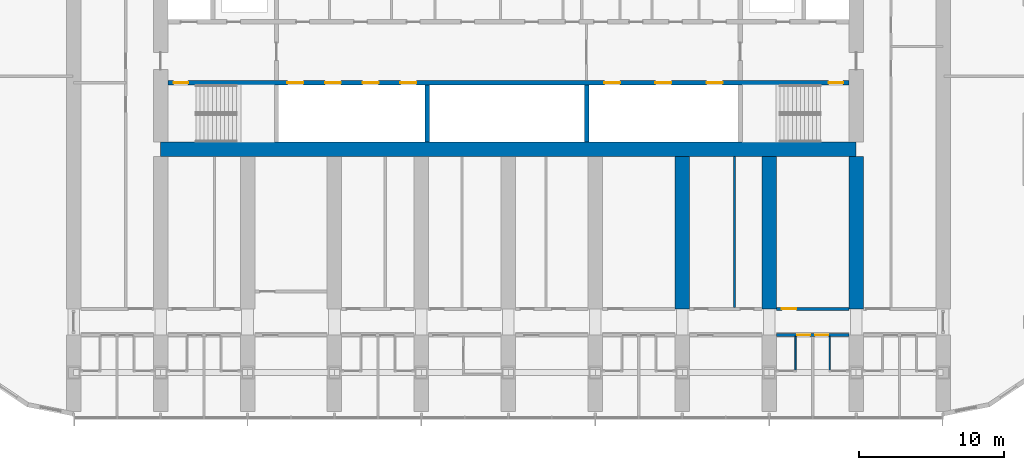
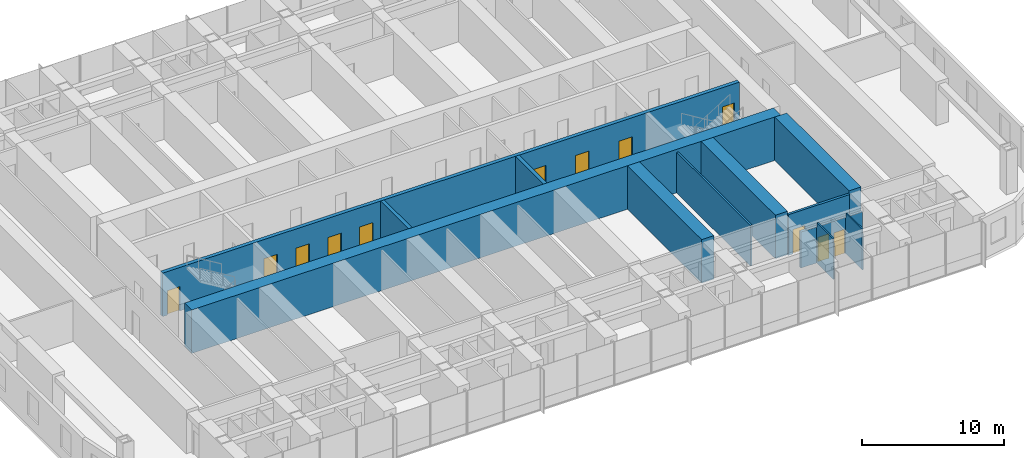
# One storey, part 13 of 24: 12 doors, 12 walls, 12 openings.
"""IFC4 building model written with IfcOpenShell, lengths in metres."""

import ifcopenshell
import ifcopenshell.guid

model = None  # the IFC model being written
_history = None  # IfcOwnerHistory: only IFC2X3 demands one
_inside = {}  # id of a spatial element -> (the spatial element, [elements in it])
_under = {}  # id of a project, library or spatial element -> (it, [spatial elements below it])
_declared = {}  # id of a project -> (the project, [libraries it declares])
_typed = {}  # id of a type object -> (the type object, [elements of that type])
_made_of = {}  # id of a material, layer set ... -> (it, [elements and type objects made of it])


def new_model(schema):
    """Start an empty IFC model of exactly this schema.

    Asked for "IFC4X3", IfcOpenShell would pick the latest addendum, in which some entities
    have other attributes; the version numbers below select the first issue.
    IFC2X3 requires an IfcOwnerHistory on every rooted entity: one is made here for all.
    """
    global model, _history
    if schema == "IFC4X3":
        model = ifcopenshell.file(schema_version=(4, 3, 0, 0))
    else:
        model = ifcopenshell.file(schema=schema)
    _inside.clear()
    _under.clear()
    _declared.clear()
    _typed.clear()
    _made_of.clear()
    _history = None
    if model.schema == "IFC2X3":
        org = make("IfcOrganization", Name="unknown")
        user = make(
            "IfcPersonAndOrganization",
            ThePerson=make("IfcPerson", FamilyName="unknown"),
            TheOrganization=org,
        )
        app = make(
            "IfcApplication",
            ApplicationDeveloper=org,
            Version="unknown",
            ApplicationFullName="unknown",
            ApplicationIdentifier="unknown",
        )
        _history = make(
            "IfcOwnerHistory",
            OwningUser=user,
            OwningApplication=app,
            ChangeAction="ADDED",
            CreationDate=0,
        )
    return model


def make(cls, **values):
    """One entity of the class cls with the attributes given. An attribute that is None is left unset."""
    return model.create_entity(
        cls, **{name: value for name, value in values.items() if value is not None}
    )


def rooted(cls, **values):
    """An entity with a GlobalId (a new one), such as an element, a storey or a relation."""
    return make(cls, GlobalId=ifcopenshell.guid.new(), OwnerHistory=_history, **values)


def si_unit(unit_type, name, prefix=None):
    """IfcSIUnit, for example si_unit("LENGTHUNIT", "METRE", prefix="MILLI")."""
    return make("IfcSIUnit", UnitType=unit_type, Prefix=prefix, Name=name)


def assignment(units):
    """IfcUnitAssignment: the units of a project."""
    return None if units is None else make("IfcUnitAssignment", Units=units)


def point(xyz):
    """IfcCartesianPoint."""
    return None if xyz is None else make("IfcCartesianPoint", Coordinates=xyz)


def direction(xyz):
    """IfcDirection."""
    return None if xyz is None else make("IfcDirection", DirectionRatios=xyz)


def frame(location, z_axis=None, x_axis=None):
    """IfcAxis2Placement3D, a coordinate frame: its origin and axes. An axis left out is left unset."""
    return make(
        "IfcAxis2Placement3D",
        Location=point(location),
        Axis=direction(z_axis),
        RefDirection=direction(x_axis),
    )


def frame_2d(location, x_axis=None):
    """IfcAxis2Placement2D, a coordinate frame in the plane: its origin and x axis."""
    return make(
        "IfcAxis2Placement2D", Location=point(location), RefDirection=direction(x_axis)
    )


def origin():
    """The frame at (0, 0, 0) with its axes left unset."""
    return frame((0.0, 0.0, 0.0))


def place(relative_to, where):
    """IfcLocalPlacement: puts the frame where relative to a parent placement (None: the world)."""
    return make(
        "IfcLocalPlacement", PlacementRelTo=relative_to, RelativePlacement=where
    )


def context(
    kind, dimensions, precision=None, world=None, true_north=None, identifier=None
):
    """IfcGeometricRepresentationContext, for example the 3D "Model" context."""
    return make(
        "IfcGeometricRepresentationContext",
        ContextIdentifier=identifier,
        ContextType=kind,
        CoordinateSpaceDimension=dimensions,
        Precision=precision,
        WorldCoordinateSystem=world,
        TrueNorth=true_north,
    )


def subcontext(parent, identifier, kind, view, scale=None):
    """IfcGeometricRepresentationSubContext, for example "Body" below "Model"."""
    return make(
        "IfcGeometricRepresentationSubContext",
        ContextIdentifier=identifier,
        ContextType=kind,
        ParentContext=parent,
        TargetScale=scale,
        TargetView=view,
    )


def project(units=None, contexts=None):
    """IfcProject with its units and contexts."""
    return rooted(
        "IfcProject",
        Name="project",
        RepresentationContexts=contexts,
        UnitsInContext=assignment(units),
    )


def spatial(cls, under=None, at=None, **own):
    """A site, building, storey or space (cls), placed at a placement, below another one or the project."""
    s = rooted(cls, ObjectPlacement=at, **own)
    if under is not None:
        _under.setdefault(under.id(), (under, []))[1].append(s)
    return s


def polyline(points):
    """IfcPolyline through the points."""
    return make("IfcPolyline", Points=[point(p) for p in points])


def profile(cls, at=None, kind="AREA", **sizes):
    """A parametric profile (cls). Its sizes go by their IFC names, for example OverallWidth=200.0."""
    return make(cls, ProfileType=kind, Position=at, **sizes)


def rectangle(**sizes):
    """IfcRectangleProfileDef."""
    return profile("IfcRectangleProfileDef", **sizes)


def outline(outer, holes=None, kind="AREA"):
    """IfcArbitraryClosedProfileDef: a profile drawn as a closed curve; with holes, ...WithVoids."""
    if holes is None:
        return make("IfcArbitraryClosedProfileDef", ProfileType=kind, OuterCurve=outer)
    return make(
        "IfcArbitraryProfileDefWithVoids",
        ProfileType=kind,
        OuterCurve=outer,
        InnerCurves=holes,
    )


def extrude(swept, where, along, depth):
    """IfcExtrudedAreaSolid: the profile swept, set in the frame where, extruded along a direction by depth."""
    return make(
        "IfcExtrudedAreaSolid",
        SweptArea=swept,
        Position=where,
        ExtrudedDirection=direction(along),
        Depth=depth,
    )


def shape(context_of_items, identifier, shape_type, items):
    """IfcShapeRepresentation: the items that make up one representation, for example the "Body"."""
    return make(
        "IfcShapeRepresentation",
        ContextOfItems=context_of_items,
        RepresentationIdentifier=identifier,
        RepresentationType=shape_type,
        Items=items,
    )


def material(Name=None, Category=None):
    """IfcMaterial."""
    return make("IfcMaterial", Name=Name, Category=Category)


def layer(
    of_material, thickness, ventilated=None, Name=None, Category=None, Priority=None
):
    """IfcMaterialLayer: one layer of a wall or slab, of a material (None: an air gap)."""
    return make(
        "IfcMaterialLayer",
        Material=of_material,
        LayerThickness=thickness,
        IsVentilated=ventilated,
        Name=Name,
        Category=Category,
        Priority=Priority,
    )


def layer_set(layers, Name=None):
    """IfcMaterialLayerSet."""
    return make("IfcMaterialLayerSet", MaterialLayers=layers, LayerSetName=Name)


def made_of(thing, what):
    """Note that an element or type object is made of a material, layer set ...; save() writes the relation."""
    if what is not None:
        _made_of.setdefault(what.id(), (what, []))[1].append(thing)
    return thing


def type_object(cls, material=None, **own):
    """A type object (cls), such as IfcWallType, which elements share."""
    return made_of(rooted(cls, **own), material)


def element(
    cls,
    number,
    at=None,
    inside=None,
    cuts=None,
    type_object=None,
    material=None,
    context=None,
    identifier="Body",
    shape_type=None,
    held_by="IfcProductDefinitionShape",
    body=None,
    shapes=None,
    **own,
):
    """One element of the class cls, such as IfcWall. Its Tag is "e" and its number.

    at: its placement. inside: the storey or other place that contains it. cuts: it is an
    opening in that element (IfcRelVoidsElement). A single representation is given by context,
    identifier, shape_type and body (its items); several are given by shapes. held_by: the class
    of the entity that holds the representations. save() writes the other relations.
    """
    e = rooted(cls, Tag="e%d" % number, ObjectPlacement=at, **own)
    if body is not None:
        shapes = [shape(context, identifier, shape_type, body)]
    if shapes is not None:
        e.Representation = make(held_by, Representations=shapes)
    if inside is not None:
        _inside.setdefault(inside.id(), (inside, []))[1].append(e)
    if cuts is not None:
        rooted(
            "IfcRelVoidsElement", RelatingBuildingElement=cuts, RelatedOpeningElement=e
        )
    if type_object is not None:
        _typed.setdefault(type_object.id(), (type_object, []))[1].append(e)
    return made_of(e, material)


def fill(opening, filler):
    """IfcRelFillsElement: the door or window that sits in an opening."""
    return rooted(
        "IfcRelFillsElement",
        RelatingOpeningElement=opening,
        RelatedBuildingElement=filler,
    )


def aggregate(whole, parts):
    """IfcRelAggregates: a whole, such as a stair, and the parts it consists of."""
    return rooted("IfcRelAggregates", RelatingObject=whole, RelatedObjects=parts)


def save(model, path):
    """Write the relations noted so far, then the file.

    IfcRelAggregates (storeys below a building ...), IfcRelContainedInSpatialStructure (elements
    in a storey), IfcRelDefinesByType, IfcRelAssociatesMaterial and IfcRelDeclares: one each for
    every whole, place, type object, material and project.
    """
    for whole, parts in _under.values():
        aggregate(whole, parts)
    for where, things in _inside.values():
        rooted(
            "IfcRelContainedInSpatialStructure",
            RelatedElements=things,
            RelatingStructure=where,
        )
    for kind, things in _typed.values():
        rooted("IfcRelDefinesByType", RelatedObjects=things, RelatingType=kind)
    for what, things in _made_of.values():
        rooted("IfcRelAssociatesMaterial", RelatedObjects=things, RelatingMaterial=what)
    for by, libraries in _declared.values():
        rooted("IfcRelDeclares", RelatingContext=by, RelatedDefinitions=libraries)
    model.write(path)


model = new_model("IFC4")

# Units and contexts
model_context = context("Model", 3, precision=1e-05, world=origin(), true_north=direction((0.0, 1.0)))
body_context = subcontext(model_context, "Body", "Model", "MODEL_VIEW")
ifc_project = project(units=[si_unit("LENGTHUNIT", "METRE"), si_unit("AREAUNIT", "SQUARE_METRE"), si_unit("VOLUMEUNIT", "CUBIC_METRE"), si_unit("PLANEANGLEUNIT", "RADIAN"), si_unit("MASSUNIT", "GRAM", prefix="KILO")], contexts=[model_context])

# Site, building, storey
site_placement = place(None, origin())
site = spatial("IfcSite", under=ifc_project, at=site_placement, CompositionType="ELEMENT")
building_placement = place(site_placement, origin())
building = spatial("IfcBuilding", under=site, at=building_placement, Name="Orbita Commons", CompositionType="ELEMENT")
storey_placement = place(building_placement, frame((0.0, 0.0, 27.699951171875)))
storey = spatial("IfcBuildingStorey", under=building, at=storey_placement, Name="L06", CompositionType="ELEMENT", Elevation=27.699951171875)

# Wall, openings, doors
ifc_material_1 = material(Name="Concrete C50/60", Category="concrete")
ifc_layer_1 = layer(ifc_material_1, 0.300048828125)
ifc_layer_set_1 = layer_set([ifc_layer_1], Name="Concrete C50/60")
wall_type_1 = type_object("IfcWallType", Name="Core inner wall 300 C50/60", PredefinedType="SHEAR", material=ifc_layer_set_1)
wall_1_placement = place(storey_placement, frame((18.5, 30.39990234375, 0.0), z_axis=(0.0, 0.0, 1.0), x_axis=(1.0, 0.0, 0.0)))
wall_1 = element("IfcWall", 1, at=wall_1_placement, inside=storey, type_object=wall_type_1, Name="Lobby wall south L06", PredefinedType="SHEAR", context=body_context, shape_type="SweptSolid", body=[
    extrude(rectangle(XDim=47.0, YDim=0.300048828125, at=frame_2d((23.5, 0.0))), origin(), (0.0, 0.0, 1.0), 3.75),
])
opening_1_placement = place(wall_1_placement, frame((0.39990234375, 0.0, 0.0)))
opening_1 = element("IfcOpeningElement", 2, at=opening_1_placement, cuts=wall_1, Name="Opening D02", PredefinedType="OPENING", context=body_context, shape_type="SweptSolid", body=[
    extrude(rectangle(XDim=1.0, YDim=2.10009765625, at=frame_2d((0.5, 1.050048828125))), frame((0.0, 0.159912109375, 0.0), z_axis=(0.0, -1.0, 0.0), x_axis=(1.0, 0.0, 0.0)), (0.0, 0.0, 1.0), 0.320068359375),
])
opening_2_placement = place(wall_1_placement, frame((45.60009765625, 0.0, 0.0)))
opening_2 = element("IfcOpeningElement", 3, at=opening_2_placement, cuts=wall_1, Name="Opening D02", PredefinedType="OPENING", context=body_context, shape_type="SweptSolid", body=[
    extrude(rectangle(XDim=1.0, YDim=2.10009765625, at=frame_2d((0.5, 1.050048828125))), frame((0.0, 0.159912109375, 0.0), z_axis=(0.0, -1.0, 0.0), x_axis=(1.0, 0.0, 0.0)), (0.0, 0.0, 1.0), 0.320068359375),
])
opening_3_placement = place(wall_1_placement, frame((8.25, 0.0, 0.0)))
opening_3 = element("IfcOpeningElement", 4, at=opening_3_placement, cuts=wall_1, Name="Opening LD02", PredefinedType="OPENING", context=body_context, shape_type="SweptSolid", body=[
    extrude(rectangle(XDim=1.10009765625, YDim=2.10009765625, at=frame_2d((0.550048828125, 1.050048828125))), frame((0.0, 0.159912109375, 0.0), z_axis=(0.0, -1.0, 0.0), x_axis=(1.0, 0.0, 0.0)), (0.0, 0.0, 1.0), 0.320068359375),
])
opening_4_placement = place(wall_1_placement, frame((10.85009765625, 0.0, 0.0)))
opening_4 = element("IfcOpeningElement", 5, at=opening_4_placement, cuts=wall_1, Name="Opening LD02", PredefinedType="OPENING", context=body_context, shape_type="SweptSolid", body=[
    extrude(rectangle(XDim=1.10009765625, YDim=2.10009765625, at=frame_2d((0.550048828125, 1.050048828125))), frame((0.0, 0.159912109375, 0.0), z_axis=(0.0, -1.0, 0.0), x_axis=(1.0, 0.0, 0.0)), (0.0, 0.0, 1.0), 0.320068359375),
])
opening_5_placement = place(wall_1_placement, frame((13.449951171875, 0.0, 0.0)))
opening_5 = element("IfcOpeningElement", 6, at=opening_5_placement, cuts=wall_1, Name="Opening LD02", PredefinedType="OPENING", context=body_context, shape_type="SweptSolid", body=[
    extrude(rectangle(XDim=1.10009765625, YDim=2.10009765625, at=frame_2d((0.550048828125, 1.050048828125))), frame((0.0, 0.159912109375, 0.0), z_axis=(0.0, -1.0, 0.0), x_axis=(1.0, 0.0, 0.0)), (0.0, 0.0, 1.0), 0.320068359375),
])
opening_6_placement = place(wall_1_placement, frame((16.050048828125, 0.0, 0.0)))
opening_6 = element("IfcOpeningElement", 7, at=opening_6_placement, cuts=wall_1, Name="Opening LD02", PredefinedType="OPENING", context=body_context, shape_type="SweptSolid", body=[
    extrude(rectangle(XDim=1.10009765625, YDim=2.10009765625, at=frame_2d((0.550048828125, 1.050048828125))), frame((0.0, 0.159912109375, 0.0), z_axis=(0.0, -1.0, 0.0), x_axis=(1.0, 0.0, 0.0)), (0.0, 0.0, 1.0), 0.320068359375),
])
opening_7_placement = place(wall_1_placement, frame((30.11669921875, 0.0, 0.0)))
opening_7 = element("IfcOpeningElement", 8, at=opening_7_placement, cuts=wall_1, Name="Opening LD02", PredefinedType="OPENING", context=body_context, shape_type="SweptSolid", body=[
    extrude(rectangle(XDim=1.10009765625, YDim=2.10009765625, at=frame_2d((0.550048828125, 1.050048828125))), frame((0.0, 0.159912109375, 0.0), z_axis=(0.0, -1.0, 0.0), x_axis=(1.0, 0.0, 0.0)), (0.0, 0.0, 1.0), 0.320068359375),
])
opening_8_placement = place(wall_1_placement, frame((33.64990234375, 0.0, 0.0)))
opening_8 = element("IfcOpeningElement", 9, at=opening_8_placement, cuts=wall_1, Name="Opening LD02", PredefinedType="OPENING", context=body_context, shape_type="SweptSolid", body=[
    extrude(rectangle(XDim=1.10009765625, YDim=2.10009765625, at=frame_2d((0.550048828125, 1.050048828125))), frame((0.0, 0.159912109375, 0.0), z_axis=(0.0, -1.0, 0.0), x_axis=(1.0, 0.0, 0.0)), (0.0, 0.0, 1.0), 0.320068359375),
])
opening_9_placement = place(wall_1_placement, frame((37.183349609375, 0.0, 0.0)))
opening_9 = element("IfcOpeningElement", 10, at=opening_9_placement, cuts=wall_1, Name="Opening LD02", PredefinedType="OPENING", context=body_context, shape_type="SweptSolid", body=[
    extrude(rectangle(XDim=1.10009765625, YDim=2.10009765625, at=frame_2d((0.550048828125, 1.050048828125))), frame((0.0, 0.159912109375, 0.0), z_axis=(0.0, -1.0, 0.0), x_axis=(1.0, 0.0, 0.0)), (0.0, 0.0, 1.0), 0.320068359375),
])
ifc_material_2 = material(Name="Steel-faced fire door leaf", Category="steel")
door_type_1 = type_object("IfcDoorType", Name="Fire door 90 min 1000x2100", OperationType="SINGLE_SWING_LEFT", PredefinedType="DOOR", material=ifc_material_2)
door_1_placement = place(opening_1_placement, origin())
door_1 = element("IfcDoor", 11, at=door_1_placement, inside=storey, type_object=door_type_1, Name="Stair S1 door", OperationType="SINGLE_SWING_LEFT", OverallHeight=2.10009765625, OverallWidth=1.0, PredefinedType="DOOR", context=body_context, shape_type="SweptSolid", body=[
    extrude(rectangle(XDim=1.0, YDim=2.10009765625, at=frame_2d((0.5, 1.050048828125))), frame((0.0, 0.02490234375, 0.0), z_axis=(0.0, -1.0, 0.0), x_axis=(1.0, 0.0, 0.0)), (0.0, 0.0, 1.0), 0.050048828125),
])
fill(opening_1, door_1)
door_2_placement = place(opening_2_placement, origin())
door_2 = element("IfcDoor", 12, at=door_2_placement, inside=storey, type_object=door_type_1, Name="Stair S2 door", OperationType="SINGLE_SWING_LEFT", OverallHeight=2.10009765625, OverallWidth=1.0, PredefinedType="DOOR", context=body_context, shape_type="SweptSolid", body=[
    extrude(rectangle(XDim=1.0, YDim=2.10009765625, at=frame_2d((0.5, 1.050048828125))), frame((0.0, 0.02490234375, 0.0), z_axis=(0.0, -1.0, 0.0), x_axis=(1.0, 0.0, 0.0)), (0.0, 0.0, 1.0), 0.050048828125),
])
fill(opening_2, door_2)
ifc_material_3 = material(Name="Steel-faced fire door leaf", Category="steel")
door_type_2 = type_object("IfcDoorType", Name="Lift landing door 1100x2100", OperationType="DOUBLE_DOOR_SLIDING", PredefinedType="DOOR", material=ifc_material_3)
door_3_placement = place(opening_3_placement, origin())
door_3 = element("IfcDoor", 13, at=door_3_placement, inside=storey, type_object=door_type_2, Name="Lift P11 landing door", OperationType="DOUBLE_DOOR_SLIDING", OverallHeight=2.10009765625, OverallWidth=1.10009765625, PredefinedType="DOOR", context=body_context, shape_type="SweptSolid", body=[
    extrude(rectangle(XDim=1.10009765625, YDim=2.10009765625, at=frame_2d((0.550048828125, 1.050048828125))), frame((0.0, 0.02490234375, 0.0), z_axis=(0.0, -1.0, 0.0), x_axis=(1.0, 0.0, 0.0)), (0.0, 0.0, 1.0), 0.050048828125),
])
fill(opening_3, door_3)
door_4_placement = place(opening_4_placement, origin())
door_4 = element("IfcDoor", 14, at=door_4_placement, inside=storey, type_object=door_type_2, Name="Lift P12 landing door", OperationType="DOUBLE_DOOR_SLIDING", OverallHeight=2.10009765625, OverallWidth=1.10009765625, PredefinedType="DOOR", context=body_context, shape_type="SweptSolid", body=[
    extrude(rectangle(XDim=1.10009765625, YDim=2.10009765625, at=frame_2d((0.550048828125, 1.050048828125))), frame((0.0, 0.02490234375, 0.0), z_axis=(0.0, -1.0, 0.0), x_axis=(1.0, 0.0, 0.0)), (0.0, 0.0, 1.0), 0.050048828125),
])
fill(opening_4, door_4)
door_5_placement = place(opening_5_placement, origin())
door_5 = element("IfcDoor", 15, at=door_5_placement, inside=storey, type_object=door_type_2, Name="Lift P13 landing door", OperationType="DOUBLE_DOOR_SLIDING", OverallHeight=2.10009765625, OverallWidth=1.10009765625, PredefinedType="DOOR", context=body_context, shape_type="SweptSolid", body=[
    extrude(rectangle(XDim=1.10009765625, YDim=2.10009765625, at=frame_2d((0.550048828125, 1.050048828125))), frame((0.0, 0.02490234375, 0.0), z_axis=(0.0, -1.0, 0.0), x_axis=(1.0, 0.0, 0.0)), (0.0, 0.0, 1.0), 0.050048828125),
])
fill(opening_5, door_5)
door_6_placement = place(opening_6_placement, origin())
door_6 = element("IfcDoor", 16, at=door_6_placement, inside=storey, type_object=door_type_2, Name="Lift P14 landing door", OperationType="DOUBLE_DOOR_SLIDING", OverallHeight=2.10009765625, OverallWidth=1.10009765625, PredefinedType="DOOR", context=body_context, shape_type="SweptSolid", body=[
    extrude(rectangle(XDim=1.10009765625, YDim=2.10009765625, at=frame_2d((0.550048828125, 1.050048828125))), frame((0.0, 0.02490234375, 0.0), z_axis=(0.0, -1.0, 0.0), x_axis=(1.0, 0.0, 0.0)), (0.0, 0.0, 1.0), 0.050048828125),
])
fill(opening_6, door_6)
door_7_placement = place(opening_7_placement, origin())
door_7 = element("IfcDoor", 17, at=door_7_placement, inside=storey, type_object=door_type_2, Name="Lift SV1 landing door", OperationType="DOUBLE_DOOR_SLIDING", OverallHeight=2.10009765625, OverallWidth=1.10009765625, PredefinedType="DOOR", context=body_context, shape_type="SweptSolid", body=[
    extrude(rectangle(XDim=1.10009765625, YDim=2.10009765625, at=frame_2d((0.550048828125, 1.050048828125))), frame((0.0, 0.02490234375, 0.0), z_axis=(0.0, -1.0, 0.0), x_axis=(1.0, 0.0, 0.0)), (0.0, 0.0, 1.0), 0.050048828125),
])
fill(opening_7, door_7)
door_8_placement = place(opening_8_placement, origin())
door_8 = element("IfcDoor", 18, at=door_8_placement, inside=storey, type_object=door_type_2, Name="Lift SV2 landing door", OperationType="DOUBLE_DOOR_SLIDING", OverallHeight=2.10009765625, OverallWidth=1.10009765625, PredefinedType="DOOR", context=body_context, shape_type="SweptSolid", body=[
    extrude(rectangle(XDim=1.10009765625, YDim=2.10009765625, at=frame_2d((0.550048828125, 1.050048828125))), frame((0.0, 0.02490234375, 0.0), z_axis=(0.0, -1.0, 0.0), x_axis=(1.0, 0.0, 0.0)), (0.0, 0.0, 1.0), 0.050048828125),
])
fill(opening_8, door_8)
door_9_placement = place(opening_9_placement, origin())
door_9 = element("IfcDoor", 19, at=door_9_placement, inside=storey, type_object=door_type_2, Name="Lift SV3 landing door", OperationType="DOUBLE_DOOR_SLIDING", OverallHeight=2.10009765625, OverallWidth=1.10009765625, PredefinedType="DOOR", context=body_context, shape_type="SweptSolid", body=[
    extrude(rectangle(XDim=1.10009765625, YDim=2.10009765625, at=frame_2d((0.550048828125, 1.050048828125))), frame((0.0, 0.02490234375, 0.0), z_axis=(0.0, -1.0, 0.0), x_axis=(1.0, 0.0, 0.0)), (0.0, 0.0, 1.0), 0.050048828125),
])
fill(opening_9, door_9)

# Walls
for number, where, z_axis, x_axis, name in (
    (20, (36.39990234375, 26.300048828125, 0.0), (0.0, 0.0, 1.0), (0.0, 1.0, 0.0), "Hoistway division wall L06"),
    (21, (47.39990234375, 26.300048828125, 0.0), (0.0, 0.0, 1.0), (0.0, 1.0, 0.0), "Hoistway division wall L06"),
):
    element("IfcWall", number, at=place(storey_placement, frame(where, z_axis=z_axis, x_axis=x_axis)), inside=storey, type_object=wall_type_1, Name=name, PredefinedType="SHEAR", context=body_context, shape_type="SweptSolid", body=[
        extrude(rectangle(XDim=3.949951171875, YDim=0.300048828125, at=frame_2d((1.97509765625, 0.0))), origin(), (0.0, 0.0, 1.0), 3.75),
    ])
ifc_material_4 = material(Name="Concrete C50/60", Category="concrete")
ifc_layer_2 = layer(ifc_material_4, 1.0)
ifc_layer_set_2 = layer_set([ifc_layer_2], Name="Concrete C50/60")
wall_type_2 = type_object("IfcWallType", Name="Core wall 1000 C50/60", PredefinedType="SHEAR", material=ifc_layer_set_2)
wall_2_placement = place(storey_placement, frame((18.0, 25.800048828125, 0.0), z_axis=(0.0, 0.0, 1.0), x_axis=(1.0, 0.0, 0.0)))
element("IfcWall", 22, at=wall_2_placement, inside=storey, type_object=wall_type_2, Name="Core spine wall south L06", PredefinedType="SHEAR", context=body_context, shape_type="SweptSolid", body=[
    extrude(rectangle(XDim=48.0, YDim=1.0, at=frame_2d((24.0, 0.0))), origin(), (0.0, 0.0, 1.0), 3.75),
])

# Wall, openings, doors
ifc_material_5 = material(Name="Concrete blockwork", Category="masonry")
ifc_layer_3 = layer(ifc_material_5, 0.199951171875)
ifc_layer_set_3 = layer_set([ifc_layer_3], Name="Concrete blockwork")
wall_type_3 = type_object("IfcWallType", Name="Corridor wall 200 blockwork", PredefinedType="SOLIDWALL", material=ifc_layer_set_3)
wall_3_placement = place(storey_placement, frame((60.5, 13.0, 0.0), z_axis=(0.0, 0.0, 1.0), x_axis=(1.0, 0.0, 0.0)))
wall_3 = element("IfcWall", 23, at=wall_3_placement, inside=storey, type_object=wall_type_3, Name="Corridor wall 200 blockwork L06", PredefinedType="SOLIDWALL", context=body_context, shape_type="SweptSolid", body=[
    extrude(outline(polyline([(0.0, 0.0), (5.0, 0.0), (5.0, 3.10009765625), (0.0, 3.10009765625), (0.0, 0.0)])), frame((0.0, 0.10009765625, 0.0), z_axis=(0.0, -1.0, 0.0), x_axis=(1.0, 0.0, 0.0)), (0.0, 0.0, 1.0), 0.199951171875),
])
opening_10_placement = place(wall_3_placement, frame((1.425048828125, 0.0, 0.0)))
opening_10 = element("IfcOpeningElement", 24, at=opening_10_placement, cuts=wall_3, Name="Opening D11", PredefinedType="OPENING", context=body_context, shape_type="SweptSolid", body=[
    extrude(rectangle(XDim=0.89990234375, YDim=2.10009765625, at=frame_2d((0.449951171875, 1.050048828125))), frame((0.0, 0.10986328125, 0.0), z_axis=(0.0, -1.0, 0.0), x_axis=(1.0, 0.0, 0.0)), (0.0, 0.0, 1.0), 0.219970703125),
])
opening_11_placement = place(wall_3_placement, frame((2.675048828125, 0.0, 0.0)))
opening_11 = element("IfcOpeningElement", 25, at=opening_11_placement, cuts=wall_3, Name="Opening D11", PredefinedType="OPENING", context=body_context, shape_type="SweptSolid", body=[
    extrude(rectangle(XDim=0.89990234375, YDim=2.10009765625, at=frame_2d((0.449951171875, 1.050048828125))), frame((0.0, 0.10986328125, 0.0), z_axis=(0.0, -1.0, 0.0), x_axis=(1.0, 0.0, 0.0)), (0.0, 0.0, 1.0), 0.219970703125),
])
ifc_material_6 = material(Name="Steel-faced fire door leaf", Category="steel")
door_type_3 = type_object("IfcDoorType", Name="Corridor door 20 min 900x2100", OperationType="SINGLE_SWING_LEFT", PredefinedType="DOOR", material=ifc_material_6)
door_10_placement = place(opening_10_placement, origin())
door_10 = element("IfcDoor", 26, at=door_10_placement, inside=storey, type_object=door_type_3, Name="House bedroom L06-S16 door", OperationType="SINGLE_SWING_LEFT", OverallHeight=2.10009765625, OverallWidth=0.89990234375, PredefinedType="DOOR", context=body_context, shape_type="SweptSolid", body=[
    extrude(rectangle(XDim=0.89990234375, YDim=2.10009765625, at=frame_2d((0.449951171875, 1.050048828125))), frame((0.0, 0.02490234375, 0.0), z_axis=(0.0, -1.0, 0.0), x_axis=(1.0, 0.0, 0.0)), (0.0, 0.0, 1.0), 0.050048828125),
])
fill(opening_10, door_10)
door_11_placement = place(opening_11_placement, origin())
door_11 = element("IfcDoor", 27, at=door_11_placement, inside=storey, type_object=door_type_3, Name="House bedroom L06-S17 door", OperationType="SINGLE_SWING_LEFT", OverallHeight=2.10009765625, OverallWidth=0.89990234375, PredefinedType="DOOR", context=body_context, shape_type="SweptSolid", body=[
    extrude(rectangle(XDim=0.89990234375, YDim=2.10009765625, at=frame_2d((0.449951171875, 1.050048828125))), frame((0.0, 0.02490234375, 0.0), z_axis=(0.0, -1.0, 0.0), x_axis=(1.0, 0.0, 0.0)), (0.0, 0.0, 1.0), 0.050048828125),
])
fill(opening_11, door_11)

# Wall, opening, door
ifc_material_7 = material(Name="Hollow concrete block 200", Category="concrete")
ifc_layer_4 = layer(ifc_material_7, 0.199951171875)
ifc_layer_set_4 = layer_set([ifc_layer_4], Name="Hollow concrete block 200")
wall_type_4 = type_object("IfcWallType", Name="Corridor wall 200 hollow concrete block", PredefinedType="SOLIDWALL", material=ifc_layer_set_4)
wall_4_placement = place(storey_placement, frame((60.5, 14.800048828125, 0.0), z_axis=(0.0, 0.0, 1.0), x_axis=(1.0, 0.0, 0.0)))
wall_4 = element("IfcWall", 28, at=wall_4_placement, inside=storey, type_object=wall_type_4, Name="Corridor wall 200 hollow concrete block L06", PredefinedType="SOLIDWALL", context=body_context, shape_type="SweptSolid", body=[
    extrude(rectangle(XDim=5.0, YDim=0.199951171875, at=frame_2d((2.5, 0.0))), origin(), (0.0, 0.0, 1.0), 3.5),
])
opening_12_placement = place(wall_4_placement, frame((0.375, 0.0, 0.0)))
opening_12 = element("IfcOpeningElement", 29, at=opening_12_placement, cuts=wall_4, Name="Opening D06", PredefinedType="OPENING", context=body_context, shape_type="SweptSolid", body=[
    extrude(rectangle(XDim=1.0, YDim=2.10009765625, at=frame_2d((0.5, 1.050048828125))), frame((0.0, 0.10986328125, 0.0), z_axis=(0.0, -1.0, 0.0), x_axis=(1.0, 0.0, 0.0)), (0.0, 0.0, 1.0), 0.219970703125),
])
ifc_material_8 = material(Name="Steel-faced fire door leaf", Category="steel")
door_type_4 = type_object("IfcDoorType", Name="Corridor door 20 min 1000x2100", OperationType="SINGLE_SWING_LEFT", PredefinedType="DOOR", material=ifc_material_8)
door_12_placement = place(opening_12_placement, origin())
door_12 = element("IfcDoor", 30, at=door_12_placement, inside=storey, type_object=door_type_4, Name="Storage lockers L06-BDS60 door", OperationType="SINGLE_SWING_LEFT", OverallHeight=2.10009765625, OverallWidth=1.0, PredefinedType="DOOR", context=body_context, shape_type="SweptSolid", body=[
    extrude(rectangle(XDim=1.0, YDim=2.10009765625, at=frame_2d((0.5, 1.050048828125))), frame((0.0, 0.02490234375, 0.0), z_axis=(0.0, -1.0, 0.0), x_axis=(1.0, 0.0, 0.0)), (0.0, 0.0, 1.0), 0.050048828125),
])
fill(opening_12, door_12)

# Walls
ifc_material_9 = material(Name="Concrete C50/60", Category="concrete")
ifc_layer_5 = layer(ifc_material_9, 1.0)
ifc_layer_set_5 = layer_set([ifc_layer_5], Name="Concrete C50/60")
wall_type_5 = type_object("IfcWallType", Name="Cross wall 1000 C50/60", PredefinedType="SHEAR", material=ifc_layer_set_5)
for number, where, z_axis, x_axis, name in (
    (31, (54.0, 14.800048828125, 0.0), (0.0, 0.0, 1.0), (0.0, 1.0, 0.0), "Cross wall 10 south inner L06"),
    (32, (60.0, 14.800048828125, 0.0), (0.0, 0.0, 1.0), (0.0, 1.0, 0.0), "Cross wall 11 south inner L06"),
    (33, (66.0, 14.800048828125, 0.0), (0.0, 0.0, 1.0), (0.0, 1.0, 0.0), "Cross wall 12 south inner L06"),
):
    element("IfcWall", number, at=place(storey_placement, frame(where, z_axis=z_axis, x_axis=x_axis)), inside=storey, type_object=wall_type_5, Name=name, PredefinedType="SHEAR", context=body_context, shape_type="SweptSolid", body=[
        extrude(rectangle(XDim=10.5, YDim=1.0, at=frame_2d((5.25, 0.0))), origin(), (0.0, 0.0, 1.0), 3.75),
    ])
ifc_material_10 = material(Name="Moisture-resistant plasterboard on steel studs", Category="steel")
ifc_layer_6 = layer(ifc_material_10, 0.10009765625)
ifc_layer_set_6 = layer_set([ifc_layer_6], Name="Moisture-resistant plasterboard on steel studs")
wall_type_6 = type_object("IfcWallType", Name="En-suite partition 100", PredefinedType="PARTITIONING", material=ifc_layer_set_6)
for number, where, z_axis, x_axis, name in (
    (34, (61.824951171875, 10.550048828125, 0.0), (0.0, 0.0, 1.0), (0.0, 1.0, 0.0), "En-suite partition 100 L06"),
    (35, (64.175048828125, 10.550048828125, 0.0), (0.0, 0.0, 1.0), (0.0, 1.0, 0.0), "En-suite partition 100 L06"),
):
    element("IfcWall", number, at=place(storey_placement, frame(where, z_axis=z_axis, x_axis=x_axis)), inside=storey, type_object=wall_type_6, Name=name, PredefinedType="PARTITIONING", context=body_context, shape_type="SweptSolid", body=[
        extrude(outline(polyline([(0.0, 0.0), (2.349853515625, 0.0), (2.35009765625, 3.10009765625), (2.302001953125, 3.10009765625), (2.300048828125, 3.5), (0.052001953125, 3.5), (0.050048828125, 3.10009765625), (0.0, 3.10009765625), (0.0, 0.0)])), frame((0.0, 0.050048828125, 0.0), z_axis=(0.0, -1.0, 0.0), x_axis=(1.0, 0.0, 0.0)), (0.0, 0.0, 1.0), 0.10009765625),
    ])
ifc_material_11 = material(Name="Gypsum plasterboard on steel studs", Category="steel")
ifc_layer_7 = layer(ifc_material_11, 0.14990234375)
ifc_layer_set_7 = layer_set([ifc_layer_7], Name="Gypsum plasterboard on steel studs")
wall_type_7 = type_object("IfcWallType", Name="Partition 150 plasterboard", PredefinedType="PARTITIONING", material=ifc_layer_set_7)
wall_5_placement = place(storey_placement, frame((57.60009765625, 14.89990234375, 0.0), z_axis=(0.0, 0.0, 1.0), x_axis=(0.0, 1.0, 0.0)))
element("IfcWall", 36, at=wall_5_placement, inside=storey, type_object=wall_type_7, Name="Partition 150 plasterboard L06", PredefinedType="PARTITIONING", context=body_context, shape_type="SweptSolid", body=[
    extrude(rectangle(XDim=10.400146484375, YDim=0.14990234375, at=frame_2d((5.2001953125, 0.0))), origin(), (0.0, 0.0, 1.0), 3.5),
])

save(model, "model.ifc")
